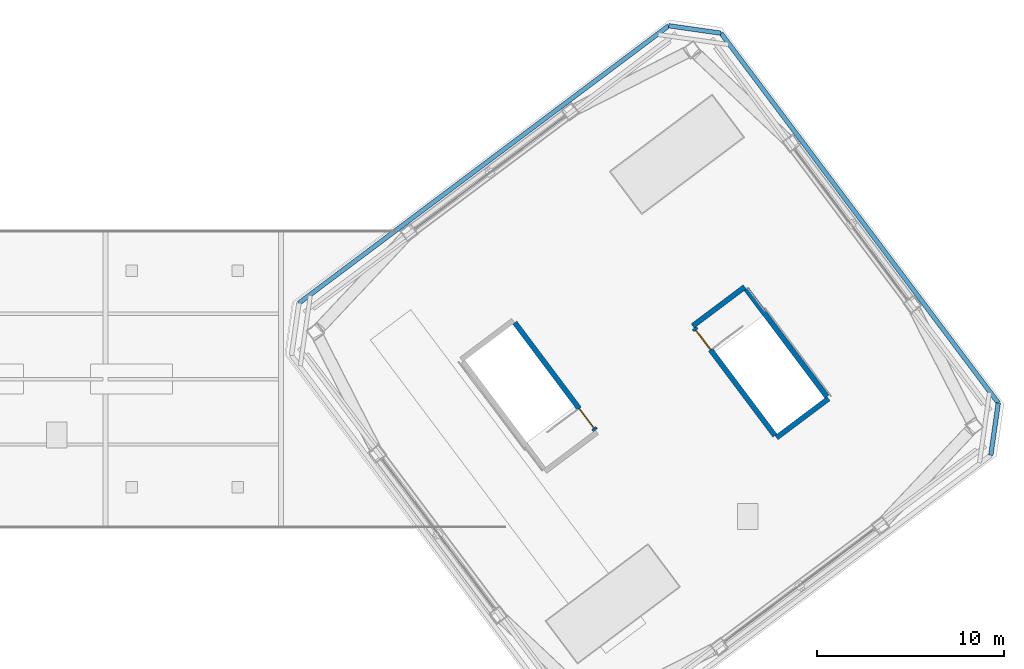
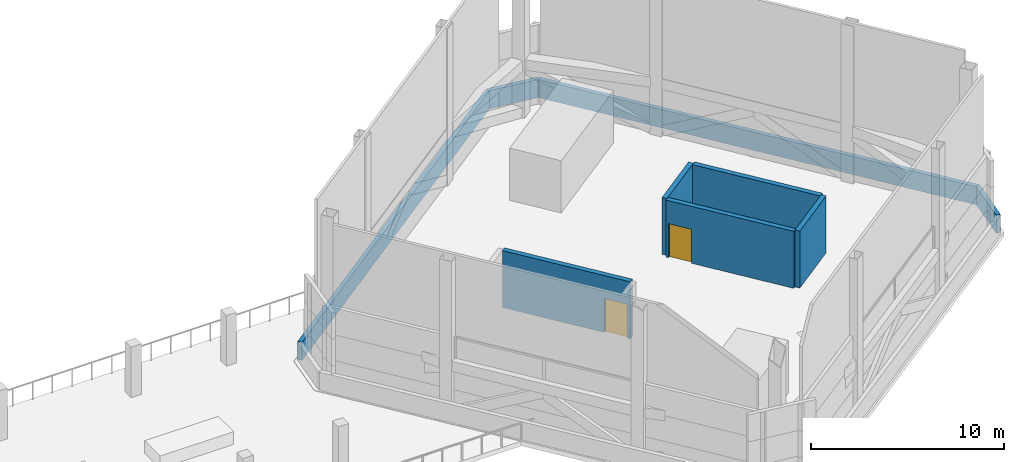
# One storey, part 30 of 37: 9 walls, 2 doors, 2 openings.
"""IFC4 building model written with IfcOpenShell, lengths in metres."""

from ifc_helpers import new_model, si_unit, direction, frame, frame_2d, origin, place, context, subcontext, project, spatial, rectangle, extrude, material, layer, layer_set, type_object, element, fill, save


model = new_model("IFC4")

# Units and contexts
model_context = context("Model", 3, precision=1e-05, world=origin(), true_north=direction((0.0, 1.0)))
body_context = subcontext(model_context, "Body", "Model", "MODEL_VIEW")
ifc_project = project(units=[si_unit("LENGTHUNIT", "METRE"), si_unit("AREAUNIT", "SQUARE_METRE"), si_unit("VOLUMEUNIT", "CUBIC_METRE"), si_unit("PLANEANGLEUNIT", "RADIAN"), si_unit("MASSUNIT", "GRAM", prefix="KILO")], contexts=[model_context])

# Site, building, storey
site_placement = place(None, origin())
site = spatial("IfcSite", under=ifc_project, at=site_placement, CompositionType="ELEMENT")
building_placement = place(site_placement, origin())
building = spatial("IfcBuilding", under=site, at=building_placement, Name="Tashvorn Skyway Center", CompositionType="ELEMENT")
storey_placement = place(building_placement, frame((0.0, 0.0, 263.39990234375)))
storey = spatial("IfcBuildingStorey", under=building, at=storey_placement, Name="L71", CompositionType="ELEMENT", Elevation=263.39990234375)

# Walls
ifc_material_1 = material(Name="Precast concrete C40/50", Category="concrete")
ifc_layer_1 = layer(ifc_material_1, 0.239990234375)
ifc_layer_set_1 = layer_set([ifc_layer_1], Name="Precast concrete C40/50")
wall_type_1 = type_object("IfcWallType", Name="WALL-PARA-240", PredefinedType="PARAPET", material=ifc_layer_set_1)
wall_1_placement = place(storey_placement, frame((132.931884765625, 30.72412109375, 0.0), z_axis=(0.0, 0.0, 1.0), x_axis=(-0.141385103552, -0.989954671939, 0.0)))
element("IfcWall", 1, at=wall_1_placement, inside=storey, type_object=wall_type_1, Name="Tower 2 Main Roof Perimeter Parapet 02", PredefinedType="PARAPET", context=body_context, shape_type="SweptSolid", body=[
    extrude(rectangle(XDim=2.828369140625, YDim=0.239990234375, at=frame_2d((1.4140625, 0.0))), origin(), (0.0, 0.0, 1.0), 1.150146484375),
])
wall_2_placement = place(storey_placement, frame((118.075927734375, 50.531982421875, 0.0), z_axis=(0.0, 0.0, 1.0), x_axis=(0.600001577653, -0.799998816758, 0.0)))
element("IfcWall", 2, at=wall_2_placement, inside=storey, type_object=wall_type_1, Name="Tower 2 Main Roof Perimeter Parapet 03", PredefinedType="PARAPET", context=body_context, shape_type="SweptSolid", body=[
    extrude(rectangle(XDim=24.759765625, YDim=0.239990234375, at=frame_2d((12.3798828125, 0.0))), origin(), (0.0, 0.0, 1.0), 1.150146484375),
])
wall_3_placement = place(storey_placement, frame((115.27587890625, 50.931884765625, 0.0), z_axis=(0.0, 0.0, 1.0), x_axis=(0.989954671939, -0.141385103552, 0.0)))
element("IfcWall", 3, at=wall_3_placement, inside=storey, type_object=wall_type_1, Name="Tower 2 Main Roof Perimeter Parapet 04", PredefinedType="PARAPET", context=body_context, shape_type="SweptSolid", body=[
    extrude(rectangle(XDim=2.828369140625, YDim=0.239990234375, at=frame_2d((1.4140625, 0.0))), origin(), (0.0, 0.0, 1.0), 1.150146484375),
])
wall_4_placement = place(storey_placement, frame((95.468017578125, 36.075927734375, 0.0), z_axis=(0.0, 0.0, 1.0), x_axis=(0.799998816758, 0.600001577653, 0.0)))
element("IfcWall", 4, at=wall_4_placement, inside=storey, type_object=wall_type_1, Name="Tower 2 Main Roof Perimeter Parapet 05", PredefinedType="PARAPET", context=body_context, shape_type="SweptSolid", body=[
    extrude(rectangle(XDim=24.759765625, YDim=0.239990234375, at=frame_2d((12.3798828125, 0.0))), origin(), (0.0, 0.0, 1.0), 1.150146484375),
])

# Wall, opening, door
ifc_layer_2 = layer(ifc_material_1, 0.280029296875)
ifc_layer_set_2 = layer_set([ifc_layer_2], Name="Precast concrete C40/50")
wall_type_2 = type_object("IfcWallType", Name="WALL-PH-280", PredefinedType="SOLIDWALL", material=ifc_layer_set_2)
wall_5_placement = place(storey_placement, frame((107.031982421875, 35.02392578125, 0.0), z_axis=(0.0, 0.0, 1.0), x_axis=(0.600005425297, -0.799995930999, 0.0)))
wall_5 = element("IfcWall", 5, at=wall_5_placement, inside=storey, type_object=wall_type_2, Name="Tower 2 Stair 1 Penthouse East Wall", PredefinedType="SOLIDWALL", context=body_context, shape_type="SweptSolid", body=[
    extrude(rectangle(XDim=7.199951171875, YDim=0.280029296875, at=frame_2d((3.60009765625, 0.0))), origin(), (0.0, 0.0, 1.0), 3.60009765625),
])
opening_1_placement = place(wall_5_placement, frame((5.75, 0.0, 0.0)))
opening_1 = element("IfcOpeningElement", 6, at=opening_1_placement, cuts=wall_5, Name="Opening D-TER-1300", PredefinedType="OPENING", context=body_context, shape_type="SweptSolid", body=[
    extrude(rectangle(XDim=1.300048828125, YDim=2.14990234375, at=frame_2d((0.64990234375, 1.074951171875))), frame((0.0, 0.14990234375, 0.0), z_axis=(0.0, -1.0, 0.0), x_axis=(1.0, 0.0, 0.0)), (0.0, 0.0, 1.0), 0.300048828125),
])
ifc_material_2 = material(Name="Thermally broken bronze-anodized aluminium 6063-T6", Category="aluminium")
door_type = type_object("IfcDoorType", Name="DOOR-TERR-1300", OperationType="NOTDEFINED", PredefinedType="DOOR", material=ifc_material_2)
door_1_placement = place(opening_1_placement, origin())
door_1 = element("IfcDoor", 7, at=door_1_placement, inside=storey, type_object=door_type, Name="Tower 2 Stair 1 Roof Plant Deck Door", OperationType="SINGLE_SWING_LEFT", OverallHeight=2.14990234375, OverallWidth=1.300048828125, PredefinedType="DOOR", context=body_context, shape_type="SweptSolid", body=[
    extrude(rectangle(XDim=1.300048828125, YDim=2.14990234375, at=frame_2d((0.64990234375, 1.074951171875))), frame((0.0, 0.02490234375, 0.0), z_axis=(0.0, -1.0, 0.0), x_axis=(1.0, 0.0, 0.0)), (0.0, 0.0, 1.0), 0.050048828125),
])
fill(opening_1, door_1)

# Walls
for number, where, z_axis, x_axis, name in (
    (8, (123.8359375, 30.951904296875, 0.0), (0.0, 0.0, 1.0), (-0.800008418847, -0.599988774707, 0.0), "Tower 2 Stair 2 Penthouse South Wall"),
    (9, (116.56396484375, 34.847900390625, 0.0), (0.0, 0.0, 1.0), (0.799974743577, 0.600033673754, 0.0), "Tower 2 Stair 2 Penthouse North Wall"),
):
    element("IfcWall", number, at=place(storey_placement, frame(where, z_axis=z_axis, x_axis=x_axis)), inside=storey, type_object=wall_type_2, Name=name, PredefinedType="SOLIDWALL", context=body_context, shape_type="SweptSolid", body=[
        extrude(rectangle(XDim=3.47998046875, YDim=0.280029296875, at=frame_2d((1.739990234375, 0.0))), origin(), (0.0, 0.0, 1.0), 3.60009765625),
    ])
wall_6_placement = place(storey_placement, frame((119.431884765625, 36.823974609375, 0.0), z_axis=(0.0, 0.0, 1.0), x_axis=(0.600005425297, -0.799995930999, 0.0)))
element("IfcWall", 10, at=wall_6_placement, inside=storey, type_object=wall_type_2, Name="Tower 2 Stair 2 Penthouse East Wall", PredefinedType="SOLIDWALL", context=body_context, shape_type="SweptSolid", body=[
    extrude(rectangle(XDim=7.199951171875, YDim=0.280029296875, at=frame_2d((3.60009765625, 0.0))), origin(), (0.0, 0.0, 1.0), 3.60009765625),
])

# Wall, opening, door
wall_7_placement = place(storey_placement, frame((120.968017578125, 28.97607421875, 0.0), z_axis=(0.0, 0.0, 1.0), x_axis=(-0.600005425297, 0.799995930999, 0.0)))
wall_7 = element("IfcWall", 11, at=wall_7_placement, inside=storey, type_object=wall_type_2, Name="Tower 2 Stair 2 Penthouse West Wall", PredefinedType="SOLIDWALL", context=body_context, shape_type="SweptSolid", body=[
    extrude(rectangle(XDim=7.199951171875, YDim=0.280029296875, at=frame_2d((3.60009765625, 0.0))), origin(), (0.0, 0.0, 1.0), 3.60009765625),
])
opening_2_placement = place(wall_7_placement, frame((5.75, 0.0, 0.0)))
opening_2 = element("IfcOpeningElement", 12, at=opening_2_placement, cuts=wall_7, Name="Opening D-TER-1300", PredefinedType="OPENING", context=body_context, shape_type="SweptSolid", body=[
    extrude(rectangle(XDim=1.300048828125, YDim=2.14990234375, at=frame_2d((0.64990234375, 1.074951171875))), frame((0.0, 0.14990234375, 0.0), z_axis=(0.0, -1.0, 0.0), x_axis=(1.0, 0.0, 0.0)), (0.0, 0.0, 1.0), 0.300048828125),
])
door_2_placement = place(opening_2_placement, origin())
door_2 = element("IfcDoor", 13, at=door_2_placement, inside=storey, type_object=door_type, Name="Tower 2 Stair 2 Roof Plant Deck Door", OperationType="SINGLE_SWING_LEFT", OverallHeight=2.14990234375, OverallWidth=1.300048828125, PredefinedType="DOOR", context=body_context, shape_type="SweptSolid", body=[
    extrude(rectangle(XDim=1.300048828125, YDim=2.14990234375, at=frame_2d((0.64990234375, 1.074951171875))), frame((0.0, 0.02490234375, 0.0), z_axis=(0.0, -1.0, 0.0), x_axis=(1.0, 0.0, 0.0)), (0.0, 0.0, 1.0), 0.050048828125),
])
fill(opening_2, door_2)

save(model, "model.ifc")
